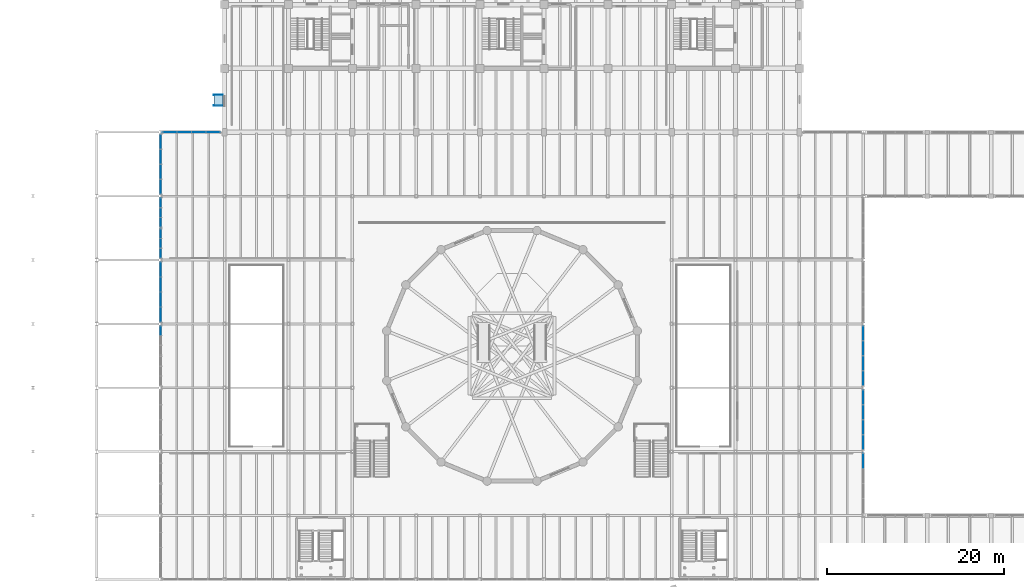
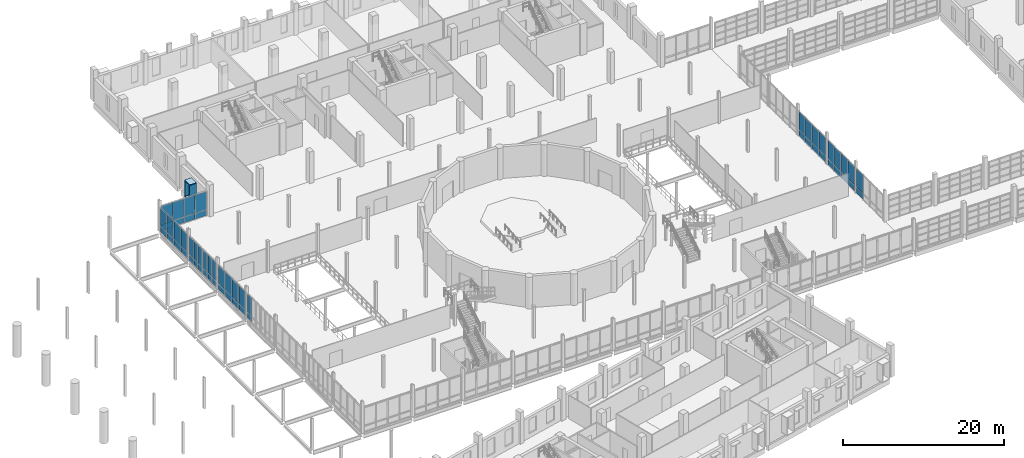
# One storey, part 52 of 77: 60 plates, 9 elements without a shape of their own.
"""IFC4 building model written with IfcOpenShell, lengths in metres."""

from ifc_helpers import new_model, si_unit, direction, frame, frame_2d, origin, origin_2d, place, context, subcontext, project, spatial, polyline, rectangle, outline, extrude, material, layer, layer_set, type_object, element, aggregate, save


model = new_model("IFC4")

# Units and contexts
model_context = context("Model", 3, precision=1e-05, world=origin(), true_north=direction((0.0, 1.0)))
body_context = subcontext(model_context, "Body", "Model", "MODEL_VIEW")
ifc_project = project(units=[si_unit("LENGTHUNIT", "METRE"), si_unit("AREAUNIT", "SQUARE_METRE"), si_unit("VOLUMEUNIT", "CUBIC_METRE"), si_unit("PLANEANGLEUNIT", "RADIAN"), si_unit("MASSUNIT", "GRAM", prefix="KILO")], contexts=[model_context])

# Site, building, storey
site_placement = place(None, origin())
site = spatial("IfcSite", under=ifc_project, at=site_placement, CompositionType="ELEMENT")
building_placement = place(site_placement, origin())
building = spatial("IfcBuilding", under=site, at=building_placement, Name="Qiaolan Assembly House", CompositionType="ELEMENT")
storey_placement = place(building_placement, frame((0.0, 0.0, 5.39990234375)))
storey = spatial("IfcBuildingStorey", under=building, at=storey_placement, Name="L01", CompositionType="ELEMENT", Elevation=5.39990234375)

# Curtain wall, plates
ifc_material_1 = material(Name="Anodised bronze aluminium", Category="aluminium")
curtain_wall_type = type_object("IfcCurtainWallType", Name="CW-HALL-UPPER-480", PredefinedType="NOTDEFINED", material=ifc_material_1)
curtain_wall_1_placement = place(storey_placement, origin())
curtain_wall_1 = element("IfcCurtainWall", 1, at=curtain_wall_1_placement, inside=storey, type_object=curtain_wall_type, Name="CW-01 Hall West facade L01-3B", PredefinedType="NOTDEFINED")
ifc_material_2 = material(Name="Low-E double insulating glass", Category="glass")
ifc_layer_1 = layer(ifc_material_2, 0.031982421875)
ifc_layer_set_1 = layer_set([ifc_layer_1], Name="Low-E double insulating glass")
plate_type_1 = type_object("IfcPlateType", Name="CW-HALL-UPPER-480-PNL", PredefinedType="CURTAIN_PANEL", material=ifc_layer_set_1)
plate_1_placement = place(storey_placement, frame((28.800048828125, 63.514892578125, 0.06005859375), z_axis=(0.0, 0.0, 1.0), x_axis=(0.0, 1.0, 0.0)))
plate_1 = element("IfcPlate", 2, at=plate_1_placement, type_object=plate_type_1, Name="GL-02 glazing panel CW-HALL-W-L01-3B-5", PredefinedType="CURTAIN_PANEL", context=body_context, shape_type="SweptSolid", body=[
    extrude(rectangle(XDim=1.030029296875, YDim=0.031982421875, at=frame_2d((0.51513671875, 0.0))), origin(), (0.0, 0.0, 1.0), 0.860107421875),
])
plate_2_placement = place(storey_placement, frame((28.800048828125, 63.514892578125, 0.97998046875), z_axis=(0.0, 0.0, 1.0), x_axis=(0.0, 1.0, 0.0)))
plate_2 = element("IfcPlate", 3, at=plate_2_placement, type_object=plate_type_1, Name="GL-02 glazing panel CW-HALL-W-L01-3B-6", PredefinedType="CURTAIN_PANEL", context=body_context, shape_type="SweptSolid", body=[
    extrude(rectangle(XDim=1.030029296875, YDim=0.031982421875, at=frame_2d((0.51513671875, 0.0))), origin(), (0.0, 0.0, 1.0), 2.760009765625),
])
aggregate(curtain_wall_1, [plate_1, plate_2])

curtain_wall_2_placement = place(storey_placement, origin())
curtain_wall_2 = element("IfcCurtainWall", 4, at=curtain_wall_2_placement, inside=storey, type_object=curtain_wall_type, Name="CW-01 Hall West facade L01-4", PredefinedType="NOTDEFINED")
plate_3_placement = place(storey_placement, frame((28.800048828125, 65.054931640625, 0.06005859375), z_axis=(0.0, 0.0, 1.0), x_axis=(0.0, 1.0, 0.0)))
plate_3 = element("IfcPlate", 5, at=plate_3_placement, type_object=plate_type_1, Name="GL-02 glazing panel CW-HALL-W-L01-4-1", PredefinedType="CURTAIN_PANEL", context=body_context, shape_type="SweptSolid", body=[
    extrude(rectangle(XDim=1.6201171875, YDim=0.031982421875, at=frame_2d((0.81005859375, 0.0))), origin(), (0.0, 0.0, 1.0), 0.860107421875),
])
plate_4_placement = place(storey_placement, frame((28.800048828125, 65.054931640625, 0.97998046875), z_axis=(0.0, 0.0, 1.0), x_axis=(0.0, 1.0, 0.0)))
plate_4 = element("IfcPlate", 6, at=plate_4_placement, type_object=plate_type_1, Name="GL-02 glazing panel CW-HALL-W-L01-4-2", PredefinedType="CURTAIN_PANEL", context=body_context, shape_type="SweptSolid", body=[
    extrude(rectangle(XDim=1.6201171875, YDim=0.031982421875, at=frame_2d((0.81005859375, 0.0))), origin(), (0.0, 0.0, 1.0), 2.760009765625),
])
plate_5_placement = place(storey_placement, frame((28.800048828125, 66.7451171875, 0.06005859375), z_axis=(0.0, 0.0, 1.0), x_axis=(0.0, 1.0, 0.0)))
plate_5 = element("IfcPlate", 7, at=plate_5_placement, type_object=plate_type_1, Name="GL-02 glazing panel CW-HALL-W-L01-4-3", PredefinedType="CURTAIN_PANEL", context=body_context, shape_type="SweptSolid", body=[
    extrude(rectangle(XDim=1.619873046875, YDim=0.031982421875, at=frame_2d((0.81005859375, 0.0))), origin(), (0.0, 0.0, 1.0), 0.860107421875),
])
plate_6_placement = place(storey_placement, frame((28.800048828125, 66.7451171875, 0.97998046875), z_axis=(0.0, 0.0, 1.0), x_axis=(0.0, 1.0, 0.0)))
plate_6 = element("IfcPlate", 8, at=plate_6_placement, type_object=plate_type_1, Name="GL-02 glazing panel CW-HALL-W-L01-4-4", PredefinedType="CURTAIN_PANEL", context=body_context, shape_type="SweptSolid", body=[
    extrude(rectangle(XDim=1.619873046875, YDim=0.031982421875, at=frame_2d((0.81005859375, 0.0))), origin(), (0.0, 0.0, 1.0), 2.760009765625),
])
plate_7_placement = place(storey_placement, frame((28.800048828125, 68.43505859375, 0.06005859375), z_axis=(0.0, 0.0, 1.0), x_axis=(0.0, 1.0, 0.0)))
plate_7 = element("IfcPlate", 9, at=plate_7_placement, type_object=plate_type_1, Name="GL-02 glazing panel CW-HALL-W-L01-4-5", PredefinedType="CURTAIN_PANEL", context=body_context, shape_type="SweptSolid", body=[
    extrude(rectangle(XDim=1.619873046875, YDim=0.031982421875, at=frame_2d((0.81005859375, 0.0))), origin(), (0.0, 0.0, 1.0), 0.860107421875),
])
plate_8_placement = place(storey_placement, frame((28.800048828125, 68.43505859375, 0.97998046875), z_axis=(0.0, 0.0, 1.0), x_axis=(0.0, 1.0, 0.0)))
plate_8 = element("IfcPlate", 10, at=plate_8_placement, type_object=plate_type_1, Name="GL-02 glazing panel CW-HALL-W-L01-4-6", PredefinedType="CURTAIN_PANEL", context=body_context, shape_type="SweptSolid", body=[
    extrude(rectangle(XDim=1.619873046875, YDim=0.031982421875, at=frame_2d((0.81005859375, 0.0))), origin(), (0.0, 0.0, 1.0), 2.760009765625),
])
plate_9_placement = place(storey_placement, frame((28.800048828125, 70.125, 0.06005859375), z_axis=(0.0, 0.0, 1.0), x_axis=(0.0, 1.0, 0.0)))
plate_9 = element("IfcPlate", 11, at=plate_9_placement, type_object=plate_type_1, Name="GL-02 glazing panel CW-HALL-W-L01-4-7", PredefinedType="CURTAIN_PANEL", context=body_context, shape_type="SweptSolid", body=[
    extrude(rectangle(XDim=1.6201171875, YDim=0.031982421875, at=frame_2d((0.81005859375, 0.0))), origin(), (0.0, 0.0, 1.0), 0.860107421875),
])
plate_10_placement = place(storey_placement, frame((28.800048828125, 70.125, 0.97998046875), z_axis=(0.0, 0.0, 1.0), x_axis=(0.0, 1.0, 0.0)))
plate_10 = element("IfcPlate", 12, at=plate_10_placement, type_object=plate_type_1, Name="GL-02 glazing panel CW-HALL-W-L01-4-8", PredefinedType="CURTAIN_PANEL", context=body_context, shape_type="SweptSolid", body=[
    extrude(rectangle(XDim=1.6201171875, YDim=0.031982421875, at=frame_2d((0.81005859375, 0.0))), origin(), (0.0, 0.0, 1.0), 2.760009765625),
])
aggregate(curtain_wall_2, [plate_3, plate_4, plate_5, plate_6, plate_7, plate_8, plate_9, plate_10])

curtain_wall_3_placement = place(storey_placement, origin())
curtain_wall_3 = element("IfcCurtainWall", 13, at=curtain_wall_3_placement, inside=storey, type_object=curtain_wall_type, Name="CW-01 Hall West facade L01-5A", PredefinedType="NOTDEFINED")
plate_11_placement = place(storey_placement, frame((28.800048828125, 72.2548828125, 0.06005859375), z_axis=(0.0, 0.0, 1.0), x_axis=(0.0, 1.0, 0.0)))
plate_11 = element("IfcPlate", 14, at=plate_11_placement, type_object=plate_type_1, Name="GL-02 glazing panel CW-HALL-W-L01-5A-1", PredefinedType="CURTAIN_PANEL", context=body_context, shape_type="SweptSolid", body=[
    extrude(rectangle(XDim=1.030029296875, YDim=0.031982421875, at=frame_2d((0.51513671875, 0.0))), origin(), (0.0, 0.0, 1.0), 0.860107421875),
])
plate_12_placement = place(storey_placement, frame((28.800048828125, 72.2548828125, 0.97998046875), z_axis=(0.0, 0.0, 1.0), x_axis=(0.0, 1.0, 0.0)))
plate_12 = element("IfcPlate", 15, at=plate_12_placement, type_object=plate_type_1, Name="GL-02 glazing panel CW-HALL-W-L01-5A-2", PredefinedType="CURTAIN_PANEL", context=body_context, shape_type="SweptSolid", body=[
    extrude(rectangle(XDim=1.030029296875, YDim=0.031982421875, at=frame_2d((0.51513671875, 0.0))), origin(), (0.0, 0.0, 1.0), 2.760009765625),
])
plate_13_placement = place(storey_placement, frame((28.800048828125, 73.35498046875, 0.06005859375), z_axis=(0.0, 0.0, 1.0), x_axis=(0.0, 1.0, 0.0)))
plate_13 = element("IfcPlate", 16, at=plate_13_placement, type_object=plate_type_1, Name="GL-02 glazing panel CW-HALL-W-L01-5A-3", PredefinedType="CURTAIN_PANEL", context=body_context, shape_type="SweptSolid", body=[
    extrude(rectangle(XDim=1.030029296875, YDim=0.031982421875, at=frame_2d((0.51513671875, 0.0))), origin(), (0.0, 0.0, 1.0), 0.860107421875),
])
plate_14_placement = place(storey_placement, frame((28.800048828125, 73.35498046875, 0.97998046875), z_axis=(0.0, 0.0, 1.0), x_axis=(0.0, 1.0, 0.0)))
plate_14 = element("IfcPlate", 17, at=plate_14_placement, type_object=plate_type_1, Name="GL-02 glazing panel CW-HALL-W-L01-5A-4", PredefinedType="CURTAIN_PANEL", context=body_context, shape_type="SweptSolid", body=[
    extrude(rectangle(XDim=1.030029296875, YDim=0.031982421875, at=frame_2d((0.51513671875, 0.0))), origin(), (0.0, 0.0, 1.0), 2.760009765625),
])
plate_15_placement = place(storey_placement, frame((28.800048828125, 74.455078125, 0.06005859375), z_axis=(0.0, 0.0, 1.0), x_axis=(0.0, 1.0, 0.0)))
plate_15 = element("IfcPlate", 18, at=plate_15_placement, type_object=plate_type_1, Name="GL-02 glazing panel CW-HALL-W-L01-5A-5", PredefinedType="CURTAIN_PANEL", context=body_context, shape_type="SweptSolid", body=[
    extrude(rectangle(XDim=1.030029296875, YDim=0.031982421875, at=frame_2d((0.51513671875, 0.0))), origin(), (0.0, 0.0, 1.0), 0.860107421875),
])
plate_16_placement = place(storey_placement, frame((28.800048828125, 74.455078125, 0.97998046875), z_axis=(0.0, 0.0, 1.0), x_axis=(0.0, 1.0, 0.0)))
plate_16 = element("IfcPlate", 19, at=plate_16_placement, type_object=plate_type_1, Name="GL-02 glazing panel CW-HALL-W-L01-5A-6", PredefinedType="CURTAIN_PANEL", context=body_context, shape_type="SweptSolid", body=[
    extrude(rectangle(XDim=1.030029296875, YDim=0.031982421875, at=frame_2d((0.51513671875, 0.0))), origin(), (0.0, 0.0, 1.0), 2.760009765625),
])
aggregate(curtain_wall_3, [plate_11, plate_12, plate_13, plate_14, plate_15, plate_16])

curtain_wall_4_placement = place(storey_placement, origin())
curtain_wall_4 = element("IfcCurtainWall", 20, at=curtain_wall_4_placement, inside=storey, type_object=curtain_wall_type, Name="CW-01 Hall West facade L01-5B", PredefinedType="NOTDEFINED")
plate_17_placement = place(storey_placement, frame((28.800048828125, 75.715087890625, 0.06005859375), z_axis=(0.0, 0.0, 1.0), x_axis=(0.0, 1.0, 0.0)))
plate_17 = element("IfcPlate", 21, at=plate_17_placement, type_object=plate_type_1, Name="GL-02 glazing panel CW-HALL-W-L01-5B-1", PredefinedType="CURTAIN_PANEL", context=body_context, shape_type="SweptSolid", body=[
    extrude(rectangle(XDim=1.030029296875, YDim=0.031982421875, at=frame_2d((0.51513671875, 0.0))), origin(), (0.0, 0.0, 1.0), 0.860107421875),
])
plate_18_placement = place(storey_placement, frame((28.800048828125, 75.715087890625, 0.97998046875), z_axis=(0.0, 0.0, 1.0), x_axis=(0.0, 1.0, 0.0)))
plate_18 = element("IfcPlate", 22, at=plate_18_placement, type_object=plate_type_1, Name="GL-02 glazing panel CW-HALL-W-L01-5B-2", PredefinedType="CURTAIN_PANEL", context=body_context, shape_type="SweptSolid", body=[
    extrude(rectangle(XDim=1.030029296875, YDim=0.031982421875, at=frame_2d((0.51513671875, 0.0))), origin(), (0.0, 0.0, 1.0), 2.760009765625),
])
plate_19_placement = place(storey_placement, frame((28.800048828125, 76.81494140625, 0.06005859375), z_axis=(0.0, 0.0, 1.0), x_axis=(0.0, 1.0, 0.0)))
plate_19 = element("IfcPlate", 23, at=plate_19_placement, type_object=plate_type_1, Name="GL-02 glazing panel CW-HALL-W-L01-5B-3", PredefinedType="CURTAIN_PANEL", context=body_context, shape_type="SweptSolid", body=[
    extrude(rectangle(XDim=1.030029296875, YDim=0.031982421875, at=frame_2d((0.51513671875, 0.0))), origin(), (0.0, 0.0, 1.0), 0.860107421875),
])
plate_20_placement = place(storey_placement, frame((28.800048828125, 76.81494140625, 0.97998046875), z_axis=(0.0, 0.0, 1.0), x_axis=(0.0, 1.0, 0.0)))
plate_20 = element("IfcPlate", 24, at=plate_20_placement, type_object=plate_type_1, Name="GL-02 glazing panel CW-HALL-W-L01-5B-4", PredefinedType="CURTAIN_PANEL", context=body_context, shape_type="SweptSolid", body=[
    extrude(rectangle(XDim=1.030029296875, YDim=0.031982421875, at=frame_2d((0.51513671875, 0.0))), origin(), (0.0, 0.0, 1.0), 2.760009765625),
])
plate_21_placement = place(storey_placement, frame((28.800048828125, 77.9150390625, 0.06005859375), z_axis=(0.0, 0.0, 1.0), x_axis=(0.0, 1.0, 0.0)))
plate_21 = element("IfcPlate", 25, at=plate_21_placement, type_object=plate_type_1, Name="GL-02 glazing panel CW-HALL-W-L01-5B-5", PredefinedType="CURTAIN_PANEL", context=body_context, shape_type="SweptSolid", body=[
    extrude(rectangle(XDim=1.030029296875, YDim=0.031982421875, at=frame_2d((0.51513671875, 0.0))), origin(), (0.0, 0.0, 1.0), 0.860107421875),
])
plate_22_placement = place(storey_placement, frame((28.800048828125, 77.9150390625, 0.97998046875), z_axis=(0.0, 0.0, 1.0), x_axis=(0.0, 1.0, 0.0)))
plate_22 = element("IfcPlate", 26, at=plate_22_placement, type_object=plate_type_1, Name="GL-02 glazing panel CW-HALL-W-L01-5B-6", PredefinedType="CURTAIN_PANEL", context=body_context, shape_type="SweptSolid", body=[
    extrude(rectangle(XDim=1.030029296875, YDim=0.031982421875, at=frame_2d((0.51513671875, 0.0))), origin(), (0.0, 0.0, 1.0), 2.760009765625),
])
aggregate(curtain_wall_4, [plate_17, plate_18, plate_19, plate_20, plate_21, plate_22])

curtain_wall_5_placement = place(storey_placement, origin())
curtain_wall_5 = element("IfcCurtainWall", 27, at=curtain_wall_5_placement, inside=storey, type_object=curtain_wall_type, Name="CW-01 Hall West facade L01-6", PredefinedType="NOTDEFINED")
plate_23_placement = place(storey_placement, frame((28.800048828125, 79.455078125, 0.06005859375), z_axis=(0.0, 0.0, 1.0), x_axis=(0.0, 1.0, 0.0)))
plate_23 = element("IfcPlate", 28, at=plate_23_placement, type_object=plate_type_1, Name="GL-02 glazing panel CW-HALL-W-L01-6-1", PredefinedType="CURTAIN_PANEL", context=body_context, shape_type="SweptSolid", body=[
    extrude(rectangle(XDim=1.619873046875, YDim=0.031982421875, at=frame_2d((0.81005859375, 0.0))), origin(), (0.0, 0.0, 1.0), 0.860107421875),
])
plate_24_placement = place(storey_placement, frame((28.800048828125, 79.455078125, 0.97998046875), z_axis=(0.0, 0.0, 1.0), x_axis=(0.0, 1.0, 0.0)))
plate_24 = element("IfcPlate", 29, at=plate_24_placement, type_object=plate_type_1, Name="GL-02 glazing panel CW-HALL-W-L01-6-2", PredefinedType="CURTAIN_PANEL", context=body_context, shape_type="SweptSolid", body=[
    extrude(rectangle(XDim=1.619873046875, YDim=0.031982421875, at=frame_2d((0.81005859375, 0.0))), origin(), (0.0, 0.0, 1.0), 2.760009765625),
])
plate_25_placement = place(storey_placement, frame((28.800048828125, 81.14501953125, 0.06005859375), z_axis=(0.0, 0.0, 1.0), x_axis=(0.0, 1.0, 0.0)))
plate_25 = element("IfcPlate", 30, at=plate_25_placement, type_object=plate_type_1, Name="GL-02 glazing panel CW-HALL-W-L01-6-3", PredefinedType="CURTAIN_PANEL", context=body_context, shape_type="SweptSolid", body=[
    extrude(rectangle(XDim=1.619873046875, YDim=0.031982421875, at=frame_2d((0.81005859375, 0.0))), origin(), (0.0, 0.0, 1.0), 0.860107421875),
])
plate_26_placement = place(storey_placement, frame((28.800048828125, 81.14501953125, 0.97998046875), z_axis=(0.0, 0.0, 1.0), x_axis=(0.0, 1.0, 0.0)))
plate_26 = element("IfcPlate", 31, at=plate_26_placement, type_object=plate_type_1, Name="GL-02 glazing panel CW-HALL-W-L01-6-4", PredefinedType="CURTAIN_PANEL", context=body_context, shape_type="SweptSolid", body=[
    extrude(rectangle(XDim=1.619873046875, YDim=0.031982421875, at=frame_2d((0.81005859375, 0.0))), origin(), (0.0, 0.0, 1.0), 2.760009765625),
])
plate_27_placement = place(storey_placement, frame((28.800048828125, 82.8349609375, 0.06005859375), z_axis=(0.0, 0.0, 1.0), x_axis=(0.0, 1.0, 0.0)))
plate_27 = element("IfcPlate", 32, at=plate_27_placement, type_object=plate_type_1, Name="GL-02 glazing panel CW-HALL-W-L01-6-5", PredefinedType="CURTAIN_PANEL", context=body_context, shape_type="SweptSolid", body=[
    extrude(rectangle(XDim=1.6201171875, YDim=0.031982421875, at=frame_2d((0.81005859375, 0.0))), origin(), (0.0, 0.0, 1.0), 0.860107421875),
])
plate_28_placement = place(storey_placement, frame((28.800048828125, 82.8349609375, 0.97998046875), z_axis=(0.0, 0.0, 1.0), x_axis=(0.0, 1.0, 0.0)))
plate_28 = element("IfcPlate", 33, at=plate_28_placement, type_object=plate_type_1, Name="GL-02 glazing panel CW-HALL-W-L01-6-6", PredefinedType="CURTAIN_PANEL", context=body_context, shape_type="SweptSolid", body=[
    extrude(rectangle(XDim=1.6201171875, YDim=0.031982421875, at=frame_2d((0.81005859375, 0.0))), origin(), (0.0, 0.0, 1.0), 2.760009765625),
])
plate_29_placement = place(storey_placement, frame((28.800048828125, 84.52490234375, 0.06005859375), z_axis=(0.0, 0.0, 1.0), x_axis=(0.0, 1.0, 0.0)))
plate_29 = element("IfcPlate", 34, at=plate_29_placement, type_object=plate_type_1, Name="GL-02 glazing panel CW-HALL-W-L01-6-7", PredefinedType="CURTAIN_PANEL", context=body_context, shape_type="SweptSolid", body=[
    extrude(rectangle(XDim=1.6201171875, YDim=0.031982421875, at=frame_2d((0.81005859375, 0.0))), origin(), (0.0, 0.0, 1.0), 0.860107421875),
])
plate_30_placement = place(storey_placement, frame((28.800048828125, 84.52490234375, 0.97998046875), z_axis=(0.0, 0.0, 1.0), x_axis=(0.0, 1.0, 0.0)))
plate_30 = element("IfcPlate", 35, at=plate_30_placement, type_object=plate_type_1, Name="GL-02 glazing panel CW-HALL-W-L01-6-8", PredefinedType="CURTAIN_PANEL", context=body_context, shape_type="SweptSolid", body=[
    extrude(rectangle(XDim=1.6201171875, YDim=0.031982421875, at=frame_2d((0.81005859375, 0.0))), origin(), (0.0, 0.0, 1.0), 2.760009765625),
])
aggregate(curtain_wall_5, [plate_23, plate_24, plate_25, plate_26, plate_27, plate_28, plate_29, plate_30])

curtain_wall_6_placement = place(storey_placement, origin())
curtain_wall_6 = element("IfcCurtainWall", 36, at=curtain_wall_6_placement, inside=storey, type_object=curtain_wall_type, Name="CW-01 Hall East court curtain wall L01-1", PredefinedType="NOTDEFINED")
plate_31_placement = place(storey_placement, frame((108.0, 50.14501953125, 0.06005859375), z_axis=(0.0, 0.0, 1.0), x_axis=(0.0, -1.0, 0.0)))
plate_31 = element("IfcPlate", 37, at=plate_31_placement, type_object=plate_type_1, Name="GL-02 glazing panel CW-HALL-E-L01-00-1", PredefinedType="CURTAIN_PANEL", context=body_context, shape_type="SweptSolid", body=[
    extrude(rectangle(XDim=1.6201171875, YDim=0.031982421875, at=frame_2d((0.81005859375, 0.0))), origin(), (0.0, 0.0, 1.0), 0.860107421875),
])
plate_32_placement = place(storey_placement, frame((108.0, 50.14501953125, 0.97998046875), z_axis=(0.0, 0.0, 1.0), x_axis=(0.0, -1.0, 0.0)))
plate_32 = element("IfcPlate", 38, at=plate_32_placement, type_object=plate_type_1, Name="GL-02 glazing panel CW-HALL-E-L01-00-2", PredefinedType="CURTAIN_PANEL", context=body_context, shape_type="SweptSolid", body=[
    extrude(rectangle(XDim=1.6201171875, YDim=0.031982421875, at=frame_2d((0.81005859375, 0.0))), origin(), (0.0, 0.0, 1.0), 2.760009765625),
])
aggregate(curtain_wall_6, [plate_31, plate_32])

curtain_wall_7_placement = place(storey_placement, origin())
curtain_wall_7 = element("IfcCurtainWall", 39, at=curtain_wall_7_placement, inside=storey, type_object=curtain_wall_type, Name="CW-01 Hall East court curtain wall L01-2", PredefinedType="NOTDEFINED")
plate_33_placement = place(storey_placement, frame((108.0, 57.344970703125, 0.06005859375), z_axis=(0.0, 0.0, 1.0), x_axis=(0.0, -1.0, 0.0)))
plate_33 = element("IfcPlate", 40, at=plate_33_placement, type_object=plate_type_1, Name="GL-02 glazing panel CW-HALL-E-L01-01-1", PredefinedType="CURTAIN_PANEL", context=body_context, shape_type="SweptSolid", body=[
    extrude(rectangle(XDim=1.619873046875, YDim=0.031982421875, at=frame_2d((0.81005859375, 0.0))), origin(), (0.0, 0.0, 1.0), 0.860107421875),
])
plate_34_placement = place(storey_placement, frame((108.0, 57.344970703125, 0.97998046875), z_axis=(0.0, 0.0, 1.0), x_axis=(0.0, -1.0, 0.0)))
plate_34 = element("IfcPlate", 41, at=plate_34_placement, type_object=plate_type_1, Name="GL-02 glazing panel CW-HALL-E-L01-01-2", PredefinedType="CURTAIN_PANEL", context=body_context, shape_type="SweptSolid", body=[
    extrude(rectangle(XDim=1.619873046875, YDim=0.031982421875, at=frame_2d((0.81005859375, 0.0))), origin(), (0.0, 0.0, 1.0), 2.760009765625),
])
plate_35_placement = place(storey_placement, frame((108.0, 55.655029296875, 0.06005859375), z_axis=(0.0, 0.0, 1.0), x_axis=(0.0, -1.0, 0.0)))
plate_35 = element("IfcPlate", 42, at=plate_35_placement, type_object=plate_type_1, Name="GL-02 glazing panel CW-HALL-E-L01-01-3", PredefinedType="CURTAIN_PANEL", context=body_context, shape_type="SweptSolid", body=[
    extrude(rectangle(XDim=1.6201171875, YDim=0.031982421875, at=frame_2d((0.81005859375, 0.0))), origin(), (0.0, 0.0, 1.0), 0.860107421875),
])
plate_36_placement = place(storey_placement, frame((108.0, 55.655029296875, 0.97998046875), z_axis=(0.0, 0.0, 1.0), x_axis=(0.0, -1.0, 0.0)))
plate_36 = element("IfcPlate", 43, at=plate_36_placement, type_object=plate_type_1, Name="GL-02 glazing panel CW-HALL-E-L01-01-4", PredefinedType="CURTAIN_PANEL", context=body_context, shape_type="SweptSolid", body=[
    extrude(rectangle(XDim=1.6201171875, YDim=0.031982421875, at=frame_2d((0.81005859375, 0.0))), origin(), (0.0, 0.0, 1.0), 2.760009765625),
])
plate_37_placement = place(storey_placement, frame((108.0, 53.965087890625, 0.06005859375), z_axis=(0.0, 0.0, 1.0), x_axis=(0.0, -1.0, 0.0)))
plate_37 = element("IfcPlate", 44, at=plate_37_placement, type_object=plate_type_1, Name="GL-02 glazing panel CW-HALL-E-L01-01-5", PredefinedType="CURTAIN_PANEL", context=body_context, shape_type="SweptSolid", body=[
    extrude(rectangle(XDim=1.6201171875, YDim=0.031982421875, at=frame_2d((0.81005859375, 0.0))), origin(), (0.0, 0.0, 1.0), 0.860107421875),
])
plate_38_placement = place(storey_placement, frame((108.0, 53.965087890625, 0.97998046875), z_axis=(0.0, 0.0, 1.0), x_axis=(0.0, -1.0, 0.0)))
plate_38 = element("IfcPlate", 45, at=plate_38_placement, type_object=plate_type_1, Name="GL-02 glazing panel CW-HALL-E-L01-01-6", PredefinedType="CURTAIN_PANEL", context=body_context, shape_type="SweptSolid", body=[
    extrude(rectangle(XDim=1.6201171875, YDim=0.031982421875, at=frame_2d((0.81005859375, 0.0))), origin(), (0.0, 0.0, 1.0), 2.760009765625),
])
plate_39_placement = place(storey_placement, frame((108.0, 52.27490234375, 0.06005859375), z_axis=(0.0, 0.0, 1.0), x_axis=(0.0, -1.0, 0.0)))
plate_39 = element("IfcPlate", 46, at=plate_39_placement, type_object=plate_type_1, Name="GL-02 glazing panel CW-HALL-E-L01-01-7", PredefinedType="CURTAIN_PANEL", context=body_context, shape_type="SweptSolid", body=[
    extrude(rectangle(XDim=1.619873046875, YDim=0.031982421875, at=frame_2d((0.81005859375, 0.0))), origin(), (0.0, 0.0, 1.0), 0.860107421875),
])
plate_40_placement = place(storey_placement, frame((108.0, 52.27490234375, 0.97998046875), z_axis=(0.0, 0.0, 1.0), x_axis=(0.0, -1.0, 0.0)))
plate_40 = element("IfcPlate", 47, at=plate_40_placement, type_object=plate_type_1, Name="GL-02 glazing panel CW-HALL-E-L01-01-8", PredefinedType="CURTAIN_PANEL", context=body_context, shape_type="SweptSolid", body=[
    extrude(rectangle(XDim=1.619873046875, YDim=0.031982421875, at=frame_2d((0.81005859375, 0.0))), origin(), (0.0, 0.0, 1.0), 2.760009765625),
])
aggregate(curtain_wall_7, [plate_33, plate_34, plate_35, plate_36, plate_37, plate_38, plate_39, plate_40])

curtain_wall_8_placement = place(storey_placement, origin())
curtain_wall_8 = element("IfcCurtainWall", 48, at=curtain_wall_8_placement, inside=storey, type_object=curtain_wall_type, Name="CW-01 Hall East court curtain wall L01-3", PredefinedType="NOTDEFINED")
plate_41_placement = place(storey_placement, frame((108.0, 64.544921875, 0.06005859375), z_axis=(0.0, 0.0, 1.0), x_axis=(0.0, -1.0, 0.0)))
plate_41 = element("IfcPlate", 49, at=plate_41_placement, type_object=plate_type_1, Name="GL-02 glazing panel CW-HALL-E-L01-02-1", PredefinedType="CURTAIN_PANEL", context=body_context, shape_type="SweptSolid", body=[
    extrude(rectangle(XDim=1.619873046875, YDim=0.031982421875, at=frame_2d((0.81005859375, 0.0))), origin(), (0.0, 0.0, 1.0), 0.860107421875),
])
plate_42_placement = place(storey_placement, frame((108.0, 64.544921875, 0.97998046875), z_axis=(0.0, 0.0, 1.0), x_axis=(0.0, -1.0, 0.0)))
plate_42 = element("IfcPlate", 50, at=plate_42_placement, type_object=plate_type_1, Name="GL-02 glazing panel CW-HALL-E-L01-02-2", PredefinedType="CURTAIN_PANEL", context=body_context, shape_type="SweptSolid", body=[
    extrude(rectangle(XDim=1.619873046875, YDim=0.031982421875, at=frame_2d((0.81005859375, 0.0))), origin(), (0.0, 0.0, 1.0), 2.760009765625),
])
plate_43_placement = place(storey_placement, frame((108.0, 62.85498046875, 0.06005859375), z_axis=(0.0, 0.0, 1.0), x_axis=(0.0, -1.0, 0.0)))
plate_43 = element("IfcPlate", 51, at=plate_43_placement, type_object=plate_type_1, Name="GL-02 glazing panel CW-HALL-E-L01-02-3", PredefinedType="CURTAIN_PANEL", context=body_context, shape_type="SweptSolid", body=[
    extrude(rectangle(XDim=1.619873046875, YDim=0.031982421875, at=frame_2d((0.81005859375, 0.0))), origin(), (0.0, 0.0, 1.0), 0.860107421875),
])
plate_44_placement = place(storey_placement, frame((108.0, 62.85498046875, 0.97998046875), z_axis=(0.0, 0.0, 1.0), x_axis=(0.0, -1.0, 0.0)))
plate_44 = element("IfcPlate", 52, at=plate_44_placement, type_object=plate_type_1, Name="GL-02 glazing panel CW-HALL-E-L01-02-4", PredefinedType="CURTAIN_PANEL", context=body_context, shape_type="SweptSolid", body=[
    extrude(rectangle(XDim=1.619873046875, YDim=0.031982421875, at=frame_2d((0.81005859375, 0.0))), origin(), (0.0, 0.0, 1.0), 2.760009765625),
])
plate_45_placement = place(storey_placement, frame((108.0, 61.1650390625, 0.06005859375), z_axis=(0.0, 0.0, 1.0), x_axis=(0.0, -1.0, 0.0)))
plate_45 = element("IfcPlate", 53, at=plate_45_placement, type_object=plate_type_1, Name="GL-02 glazing panel CW-HALL-E-L01-02-5", PredefinedType="CURTAIN_PANEL", context=body_context, shape_type="SweptSolid", body=[
    extrude(rectangle(XDim=1.6201171875, YDim=0.031982421875, at=frame_2d((0.81005859375, 0.0))), origin(), (0.0, 0.0, 1.0), 0.860107421875),
])
plate_46_placement = place(storey_placement, frame((108.0, 61.1650390625, 0.97998046875), z_axis=(0.0, 0.0, 1.0), x_axis=(0.0, -1.0, 0.0)))
plate_46 = element("IfcPlate", 54, at=plate_46_placement, type_object=plate_type_1, Name="GL-02 glazing panel CW-HALL-E-L01-02-6", PredefinedType="CURTAIN_PANEL", context=body_context, shape_type="SweptSolid", body=[
    extrude(rectangle(XDim=1.6201171875, YDim=0.031982421875, at=frame_2d((0.81005859375, 0.0))), origin(), (0.0, 0.0, 1.0), 2.760009765625),
])
plate_47_placement = place(storey_placement, frame((108.0, 59.47509765625, 0.06005859375), z_axis=(0.0, 0.0, 1.0), x_axis=(0.0, -1.0, 0.0)))
plate_47 = element("IfcPlate", 55, at=plate_47_placement, type_object=plate_type_1, Name="GL-02 glazing panel CW-HALL-E-L01-02-7", PredefinedType="CURTAIN_PANEL", context=body_context, shape_type="SweptSolid", body=[
    extrude(rectangle(XDim=1.6201171875, YDim=0.031982421875, at=frame_2d((0.81005859375, 0.0))), origin(), (0.0, 0.0, 1.0), 0.860107421875),
])
plate_48_placement = place(storey_placement, frame((108.0, 59.47509765625, 0.97998046875), z_axis=(0.0, 0.0, 1.0), x_axis=(0.0, -1.0, 0.0)))
plate_48 = element("IfcPlate", 56, at=plate_48_placement, type_object=plate_type_1, Name="GL-02 glazing panel CW-HALL-E-L01-02-8", PredefinedType="CURTAIN_PANEL", context=body_context, shape_type="SweptSolid", body=[
    extrude(rectangle(XDim=1.6201171875, YDim=0.031982421875, at=frame_2d((0.81005859375, 0.0))), origin(), (0.0, 0.0, 1.0), 2.760009765625),
])
aggregate(curtain_wall_8, [plate_41, plate_42, plate_43, plate_44, plate_45, plate_46, plate_47, plate_48])

curtain_wall_9_placement = place(storey_placement, origin())
curtain_wall_9 = element("IfcCurtainWall", 57, at=curtain_wall_9_placement, inside=storey, type_object=curtain_wall_type, Name="CW-02 Hall North-West link CW L01", PredefinedType="NOTDEFINED")
plate_49_placement = place(storey_placement, frame((35.485107421875, 86.39990234375, 0.06005859375), z_axis=(0.0, 0.0, 1.0), x_axis=(-1.0, 0.0, 0.0)))
plate_49 = element("IfcPlate", 58, at=plate_49_placement, type_object=plate_type_1, Name="GL-02 glazing panel CW-HALL-NWJ-L01-1", PredefinedType="CURTAIN_PANEL", context=body_context, shape_type="SweptSolid", body=[
    extrude(rectangle(XDim=1.55517578125, YDim=0.031982421875, at=frame_2d((0.777587890625, 0.0))), origin(), (0.0, 0.0, 1.0), 0.860107421875),
])
plate_50_placement = place(storey_placement, frame((35.485107421875, 86.39990234375, 0.97998046875), z_axis=(0.0, 0.0, 1.0), x_axis=(-1.0, 0.0, 0.0)))
plate_50 = element("IfcPlate", 59, at=plate_50_placement, type_object=plate_type_1, Name="GL-02 glazing panel CW-HALL-NWJ-L01-2", PredefinedType="CURTAIN_PANEL", context=body_context, shape_type="SweptSolid", body=[
    extrude(rectangle(XDim=1.55517578125, YDim=0.031982421875, at=frame_2d((0.777587890625, 0.0))), origin(), (0.0, 0.0, 1.0), 2.760009765625),
])
plate_51_placement = place(storey_placement, frame((33.860107421875, 86.39990234375, 0.06005859375), z_axis=(0.0, 0.0, 1.0), x_axis=(-1.0, 0.0, 0.0)))
plate_51 = element("IfcPlate", 60, at=plate_51_placement, type_object=plate_type_1, Name="GL-02 glazing panel CW-HALL-NWJ-L01-3", PredefinedType="CURTAIN_PANEL", context=body_context, shape_type="SweptSolid", body=[
    extrude(rectangle(XDim=1.55517578125, YDim=0.031982421875, at=frame_2d((0.777587890625, 0.0))), origin(), (0.0, 0.0, 1.0), 0.860107421875),
])
plate_52_placement = place(storey_placement, frame((33.860107421875, 86.39990234375, 0.97998046875), z_axis=(0.0, 0.0, 1.0), x_axis=(-1.0, 0.0, 0.0)))
plate_52 = element("IfcPlate", 61, at=plate_52_placement, type_object=plate_type_1, Name="GL-02 glazing panel CW-HALL-NWJ-L01-4", PredefinedType="CURTAIN_PANEL", context=body_context, shape_type="SweptSolid", body=[
    extrude(rectangle(XDim=1.55517578125, YDim=0.031982421875, at=frame_2d((0.777587890625, 0.0))), origin(), (0.0, 0.0, 1.0), 2.760009765625),
])
plate_53_placement = place(storey_placement, frame((32.235107421875, 86.39990234375, 0.06005859375), z_axis=(0.0, 0.0, 1.0), x_axis=(-1.0, 0.0, 0.0)))
plate_53 = element("IfcPlate", 62, at=plate_53_placement, type_object=plate_type_1, Name="GL-02 glazing panel CW-HALL-NWJ-L01-5", PredefinedType="CURTAIN_PANEL", context=body_context, shape_type="SweptSolid", body=[
    extrude(rectangle(XDim=1.55517578125, YDim=0.031982421875, at=frame_2d((0.777587890625, 0.0))), origin(), (0.0, 0.0, 1.0), 0.860107421875),
])
plate_54_placement = place(storey_placement, frame((32.235107421875, 86.39990234375, 0.97998046875), z_axis=(0.0, 0.0, 1.0), x_axis=(-1.0, 0.0, 0.0)))
plate_54 = element("IfcPlate", 63, at=plate_54_placement, type_object=plate_type_1, Name="GL-02 glazing panel CW-HALL-NWJ-L01-6", PredefinedType="CURTAIN_PANEL", context=body_context, shape_type="SweptSolid", body=[
    extrude(rectangle(XDim=1.55517578125, YDim=0.031982421875, at=frame_2d((0.777587890625, 0.0))), origin(), (0.0, 0.0, 1.0), 2.760009765625),
])
plate_55_placement = place(storey_placement, frame((30.610107421875, 86.39990234375, 0.06005859375), z_axis=(0.0, 0.0, 1.0), x_axis=(-1.0, 0.0, 0.0)))
plate_55 = element("IfcPlate", 64, at=plate_55_placement, type_object=plate_type_1, Name="GL-02 glazing panel CW-HALL-NWJ-L01-7", PredefinedType="CURTAIN_PANEL", context=body_context, shape_type="SweptSolid", body=[
    extrude(rectangle(XDim=1.55517578125, YDim=0.031982421875, at=frame_2d((0.777587890625, 0.0))), origin(), (0.0, 0.0, 1.0), 0.860107421875),
])
plate_56_placement = place(storey_placement, frame((30.610107421875, 86.39990234375, 0.97998046875), z_axis=(0.0, 0.0, 1.0), x_axis=(-1.0, 0.0, 0.0)))
plate_56 = element("IfcPlate", 65, at=plate_56_placement, type_object=plate_type_1, Name="GL-02 glazing panel CW-HALL-NWJ-L01-8", PredefinedType="CURTAIN_PANEL", context=body_context, shape_type="SweptSolid", body=[
    extrude(rectangle(XDim=1.55517578125, YDim=0.031982421875, at=frame_2d((0.777587890625, 0.0))), origin(), (0.0, 0.0, 1.0), 2.760009765625),
])
aggregate(curtain_wall_9, [plate_49, plate_50, plate_51, plate_52, plate_53, plate_54, plate_55, plate_56])

# Plates
ifc_material_3 = material(Name="Honed pale limestone", Category="masonry")
ifc_layer_2 = layer(ifc_material_3, 0.0849609375)
ifc_layer_set_2 = layer_set([ifc_layer_2], Name="Honed pale limestone")
plate_type_2 = type_object("IfcPlateType", Name="PLT-WINBOX-CHEEK", PredefinedType="SHEET", material=ifc_layer_set_2)
for number, where, z_axis, x_axis, name in (
    (66, (35.302490234375, 89.407470703125, 0.699951171875), (0.0, 0.0, 1.0), (1.0, 0.0, 0.0), "WB-02 projecting window-box left cheek NWW-L01-00"),
    (67, (35.302490234375, 90.592529296875, 0.699951171875), (0.0, 0.0, 1.0), (1.0, 0.0, 0.0), "WB-02 projecting window-box right cheek NWW-L01-00"),
):
    element("IfcPlate", number, at=place(storey_placement, frame(where, z_axis=z_axis, x_axis=x_axis)), inside=storey, type_object=plate_type_2, Name=name, PredefinedType="SHEET", context=body_context, shape_type="SweptSolid", body=[
        extrude(rectangle(XDim=1.0, YDim=0.0849609375, at=origin_2d()), origin(), (0.0, 0.0, 1.0), 2.35009765625),
    ])
ifc_layer_3 = layer(ifc_material_3, 0.080078125)
ifc_layer_set_3 = layer_set([ifc_layer_3], Name="Honed pale limestone")
plate_type_3 = type_object("IfcPlateType", Name="PLT-WINBOX-SURROUND", PredefinedType="SHEET", material=ifc_layer_set_3)
for number, where, name in (
    (68, (0.0, 0.0, 0.6201171875), "WB-01 projecting limestone window-box sill NWW-L01-00"),
    (69, (0.0, 0.0, 3.050048828125), "WB-01 projecting limestone window-box hood NWW-L01-00"),
):
    element("IfcPlate", number, at=place(storey_placement, frame(where)), inside=storey, type_object=plate_type_3, Name=name, PredefinedType="SHEET", context=body_context, shape_type="SweptSolid", body=[
        extrude(outline(polyline([(34.802490234375, 89.364990234375), (34.802490234375, 90.635009765625), (35.802490234375, 90.635009765625), (35.802490234375, 89.364990234375), (34.802490234375, 89.364990234375)])), origin(), (0.0, 0.0, 1.0), 0.080078125),
    ])

save(model, "model.ifc")
